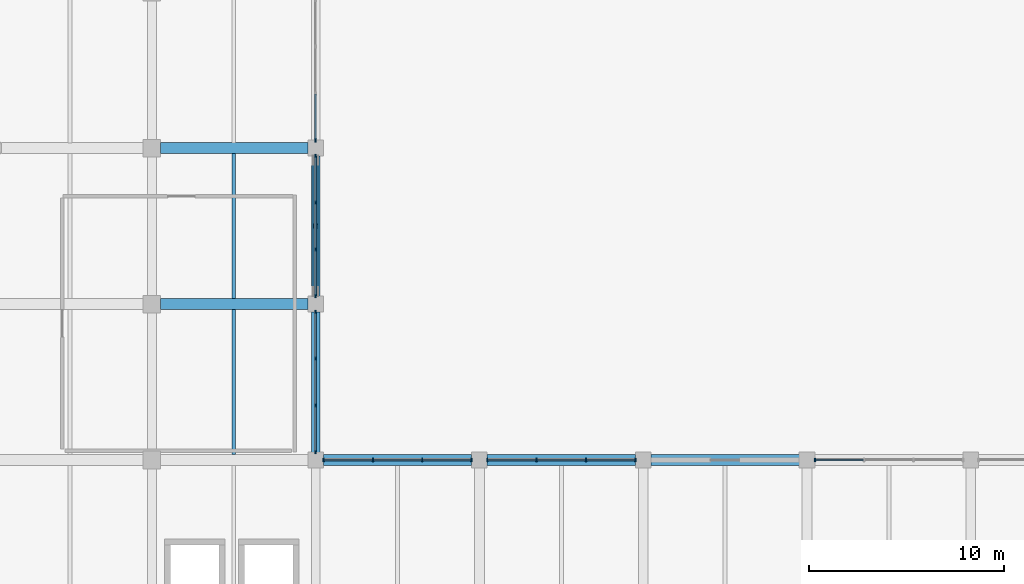
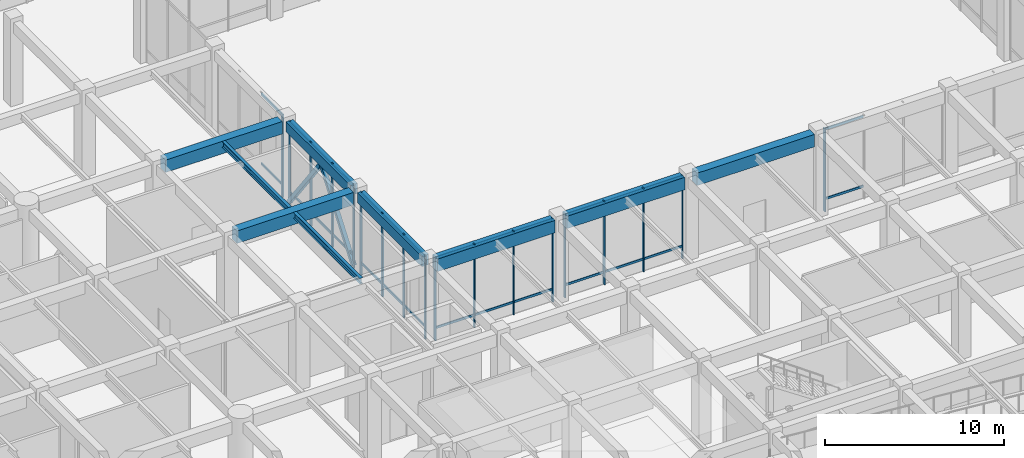
# One storey, part 24 of 76: 48 members, 9 beams, 6 elements without a shape of their own.
"""IFC4 building model written with IfcOpenShell, lengths in metres."""

import ifcopenshell
import ifcopenshell.guid

model = None  # the IFC model being written
_history = None  # IfcOwnerHistory: only IFC2X3 demands one
_inside = {}  # id of a spatial element -> (the spatial element, [elements in it])
_under = {}  # id of a project, library or spatial element -> (it, [spatial elements below it])
_declared = {}  # id of a project -> (the project, [libraries it declares])
_typed = {}  # id of a type object -> (the type object, [elements of that type])
_made_of = {}  # id of a material, layer set ... -> (it, [elements and type objects made of it])


def new_model(schema):
    """Start an empty IFC model of exactly this schema.

    Asked for "IFC4X3", IfcOpenShell would pick the latest addendum, in which some entities
    have other attributes; the version numbers below select the first issue.
    IFC2X3 requires an IfcOwnerHistory on every rooted entity: one is made here for all.
    """
    global model, _history
    if schema == "IFC4X3":
        model = ifcopenshell.file(schema_version=(4, 3, 0, 0))
    else:
        model = ifcopenshell.file(schema=schema)
    _inside.clear()
    _under.clear()
    _declared.clear()
    _typed.clear()
    _made_of.clear()
    _history = None
    if model.schema == "IFC2X3":
        org = make("IfcOrganization", Name="unknown")
        user = make(
            "IfcPersonAndOrganization",
            ThePerson=make("IfcPerson", FamilyName="unknown"),
            TheOrganization=org,
        )
        app = make(
            "IfcApplication",
            ApplicationDeveloper=org,
            Version="unknown",
            ApplicationFullName="unknown",
            ApplicationIdentifier="unknown",
        )
        _history = make(
            "IfcOwnerHistory",
            OwningUser=user,
            OwningApplication=app,
            ChangeAction="ADDED",
            CreationDate=0,
        )
    return model


def make(cls, **values):
    """One entity of the class cls with the attributes given. An attribute that is None is left unset."""
    return model.create_entity(
        cls, **{name: value for name, value in values.items() if value is not None}
    )


def rooted(cls, **values):
    """An entity with a GlobalId (a new one), such as an element, a storey or a relation."""
    return make(cls, GlobalId=ifcopenshell.guid.new(), OwnerHistory=_history, **values)


def si_unit(unit_type, name, prefix=None):
    """IfcSIUnit, for example si_unit("LENGTHUNIT", "METRE", prefix="MILLI")."""
    return make("IfcSIUnit", UnitType=unit_type, Prefix=prefix, Name=name)


def assignment(units):
    """IfcUnitAssignment: the units of a project."""
    return None if units is None else make("IfcUnitAssignment", Units=units)


def point(xyz):
    """IfcCartesianPoint."""
    return None if xyz is None else make("IfcCartesianPoint", Coordinates=xyz)


def direction(xyz):
    """IfcDirection."""
    return None if xyz is None else make("IfcDirection", DirectionRatios=xyz)


def frame(location, z_axis=None, x_axis=None):
    """IfcAxis2Placement3D, a coordinate frame: its origin and axes. An axis left out is left unset."""
    return make(
        "IfcAxis2Placement3D",
        Location=point(location),
        Axis=direction(z_axis),
        RefDirection=direction(x_axis),
    )


def frame_2d(location, x_axis=None):
    """IfcAxis2Placement2D, a coordinate frame in the plane: its origin and x axis."""
    return make(
        "IfcAxis2Placement2D", Location=point(location), RefDirection=direction(x_axis)
    )


def origin():
    """The frame at (0, 0, 0) with its axes left unset."""
    return frame((0.0, 0.0, 0.0))


def origin_2d():
    """The frame at (0, 0) in the plane with its x axis left unset."""
    return frame_2d((0.0, 0.0))


def place(relative_to, where):
    """IfcLocalPlacement: puts the frame where relative to a parent placement (None: the world)."""
    return make(
        "IfcLocalPlacement", PlacementRelTo=relative_to, RelativePlacement=where
    )


def context(
    kind, dimensions, precision=None, world=None, true_north=None, identifier=None
):
    """IfcGeometricRepresentationContext, for example the 3D "Model" context."""
    return make(
        "IfcGeometricRepresentationContext",
        ContextIdentifier=identifier,
        ContextType=kind,
        CoordinateSpaceDimension=dimensions,
        Precision=precision,
        WorldCoordinateSystem=world,
        TrueNorth=true_north,
    )


def subcontext(parent, identifier, kind, view, scale=None):
    """IfcGeometricRepresentationSubContext, for example "Body" below "Model"."""
    return make(
        "IfcGeometricRepresentationSubContext",
        ContextIdentifier=identifier,
        ContextType=kind,
        ParentContext=parent,
        TargetScale=scale,
        TargetView=view,
    )


def project(units=None, contexts=None):
    """IfcProject with its units and contexts."""
    return rooted(
        "IfcProject",
        Name="project",
        RepresentationContexts=contexts,
        UnitsInContext=assignment(units),
    )


def spatial(cls, under=None, at=None, **own):
    """A site, building, storey or space (cls), placed at a placement, below another one or the project."""
    s = rooted(cls, ObjectPlacement=at, **own)
    if under is not None:
        _under.setdefault(under.id(), (under, []))[1].append(s)
    return s


def profile(cls, at=None, kind="AREA", **sizes):
    """A parametric profile (cls). Its sizes go by their IFC names, for example OverallWidth=200.0."""
    return make(cls, ProfileType=kind, Position=at, **sizes)


def rectangle(**sizes):
    """IfcRectangleProfileDef."""
    return profile("IfcRectangleProfileDef", **sizes)


def hollow_rectangle(**sizes):
    """IfcRectangleHollowProfileDef."""
    return profile("IfcRectangleHollowProfileDef", **sizes)


def i_section(**sizes):
    """IfcIShapeProfileDef."""
    return profile("IfcIShapeProfileDef", **sizes)


def extrude(swept, where, along, depth):
    """IfcExtrudedAreaSolid: the profile swept, set in the frame where, extruded along a direction by depth."""
    return make(
        "IfcExtrudedAreaSolid",
        SweptArea=swept,
        Position=where,
        ExtrudedDirection=direction(along),
        Depth=depth,
    )


def shape(context_of_items, identifier, shape_type, items):
    """IfcShapeRepresentation: the items that make up one representation, for example the "Body"."""
    return make(
        "IfcShapeRepresentation",
        ContextOfItems=context_of_items,
        RepresentationIdentifier=identifier,
        RepresentationType=shape_type,
        Items=items,
    )


def material(Name=None, Category=None):
    """IfcMaterial."""
    return make("IfcMaterial", Name=Name, Category=Category)


def layer(
    of_material, thickness, ventilated=None, Name=None, Category=None, Priority=None
):
    """IfcMaterialLayer: one layer of a wall or slab, of a material (None: an air gap)."""
    return make(
        "IfcMaterialLayer",
        Material=of_material,
        LayerThickness=thickness,
        IsVentilated=ventilated,
        Name=Name,
        Category=Category,
        Priority=Priority,
    )


def layer_set(layers, Name=None):
    """IfcMaterialLayerSet."""
    return make("IfcMaterialLayerSet", MaterialLayers=layers, LayerSetName=Name)


def material_profile(
    of_material, cross_section, Name=None, Category=None, Priority=None
):
    """IfcMaterialProfile: a cross section and its material."""
    return make(
        "IfcMaterialProfile",
        Name=Name,
        Material=of_material,
        Profile=cross_section,
        Priority=Priority,
        Category=Category,
    )


def profile_set(profiles, Name=None, composite=None):
    """IfcMaterialProfileSet."""
    return make(
        "IfcMaterialProfileSet",
        Name=Name,
        MaterialProfiles=profiles,
        CompositeProfile=composite,
    )


def made_of(thing, what):
    """Note that an element or type object is made of a material, layer set ...; save() writes the relation."""
    if what is not None:
        _made_of.setdefault(what.id(), (what, []))[1].append(thing)
    return thing


def type_object(cls, material=None, **own):
    """A type object (cls), such as IfcWallType, which elements share."""
    return made_of(rooted(cls, **own), material)


def element(
    cls,
    number,
    at=None,
    inside=None,
    cuts=None,
    type_object=None,
    material=None,
    context=None,
    identifier="Body",
    shape_type=None,
    held_by="IfcProductDefinitionShape",
    body=None,
    shapes=None,
    **own,
):
    """One element of the class cls, such as IfcWall. Its Tag is "e" and its number.

    at: its placement. inside: the storey or other place that contains it. cuts: it is an
    opening in that element (IfcRelVoidsElement). A single representation is given by context,
    identifier, shape_type and body (its items); several are given by shapes. held_by: the class
    of the entity that holds the representations. save() writes the other relations.
    """
    e = rooted(cls, Tag="e%d" % number, ObjectPlacement=at, **own)
    if body is not None:
        shapes = [shape(context, identifier, shape_type, body)]
    if shapes is not None:
        e.Representation = make(held_by, Representations=shapes)
    if inside is not None:
        _inside.setdefault(inside.id(), (inside, []))[1].append(e)
    if cuts is not None:
        rooted(
            "IfcRelVoidsElement", RelatingBuildingElement=cuts, RelatedOpeningElement=e
        )
    if type_object is not None:
        _typed.setdefault(type_object.id(), (type_object, []))[1].append(e)
    return made_of(e, material)


def aggregate(whole, parts):
    """IfcRelAggregates: a whole, such as a stair, and the parts it consists of."""
    return rooted("IfcRelAggregates", RelatingObject=whole, RelatedObjects=parts)


def save(model, path):
    """Write the relations noted so far, then the file.

    IfcRelAggregates (storeys below a building ...), IfcRelContainedInSpatialStructure (elements
    in a storey), IfcRelDefinesByType, IfcRelAssociatesMaterial and IfcRelDeclares: one each for
    every whole, place, type object, material and project.
    """
    for whole, parts in _under.values():
        aggregate(whole, parts)
    for where, things in _inside.values():
        rooted(
            "IfcRelContainedInSpatialStructure",
            RelatedElements=things,
            RelatingStructure=where,
        )
    for kind, things in _typed.values():
        rooted("IfcRelDefinesByType", RelatedObjects=things, RelatingType=kind)
    for what, things in _made_of.values():
        rooted("IfcRelAssociatesMaterial", RelatedObjects=things, RelatingMaterial=what)
    for by, libraries in _declared.values():
        rooted("IfcRelDeclares", RelatingContext=by, RelatedDefinitions=libraries)
    model.write(path)


model = new_model("IFC4")

# Units and contexts
model_context = context("Model", 3, precision=1e-05, world=origin(), true_north=direction((0.0, 1.0)))
body_context = subcontext(model_context, "Body", "Model", "MODEL_VIEW")
ifc_project = project(units=[si_unit("LENGTHUNIT", "METRE"), si_unit("AREAUNIT", "SQUARE_METRE"), si_unit("VOLUMEUNIT", "CUBIC_METRE"), si_unit("PLANEANGLEUNIT", "RADIAN"), si_unit("MASSUNIT", "GRAM", prefix="KILO")], contexts=[model_context])

# Site, building, storey
site_placement = place(None, origin())
site = spatial("IfcSite", under=ifc_project, at=site_placement, CompositionType="ELEMENT")
building_placement = place(site_placement, origin())
building = spatial("IfcBuilding", under=site, at=building_placement, Name="Naruveol Harbour Congress Hotel", CompositionType="ELEMENT")
storey_placement = place(building_placement, origin())
storey = spatial("IfcBuildingStorey", under=building, at=storey_placement, Name="L00", CompositionType="ELEMENT", Elevation=0.0)

# Beams
ifc_material_1 = material(Name="Concrete C40/50", Category="concrete")
ifc_material_profile_1 = material_profile(ifc_material_1, rectangle(XDim=0.550048828125, YDim=0.85009765625, at=origin_2d()), Name="RCB-550x850")
ifc_profile_set_1 = profile_set([ifc_material_profile_1], Name="Concrete C40/50")
beam_type_1 = type_object("IfcBeamType", Name="RC PRIMARY GIRDER 550X850", PredefinedType="BEAM", material=ifc_profile_set_1)
beam_placement = place(storey_placement, frame((67.595947265625, 32.0, 5.27490234375), z_axis=(1.0, 0.0, 0.0), x_axis=(0.0, 1.0, 0.0)))
element("IfcBeam", 1, at=beam_placement, inside=storey, type_object=beam_type_1, Name="Floor girder L01 CB2", PredefinedType="BEAM", context=body_context, shape_type="SweptSolid", body=[
    extrude(rectangle(XDim=0.550048828125, YDim=0.85009765625, at=origin_2d()), origin(), (0.0, 0.0, 1.0), 7.608154296875),
])
for number, where, z_axis, x_axis, name in (
    (2, (75.99609375, 32.0, 5.27490234375), (1.0, 0.0, 0.0), (0.0, 1.0, 0.0), "Floor girder L01 CB2"),
    (3, (84.39599609375, 32.0, 5.27490234375), (1.0, 0.0, 0.0), (0.0, 1.0, 0.0), "Floor girder L01 CB2"),
):
    element("IfcBeam", number, at=place(storey_placement, frame(where, z_axis=z_axis, x_axis=x_axis)), inside=storey, type_object=beam_type_1, Name=name, PredefinedType="BEAM", context=body_context, shape_type="SweptSolid", body=[
        extrude(rectangle(XDim=0.550048828125, YDim=0.85009765625, at=origin_2d()), origin(), (0.0, 0.0, 1.0), 7.60791015625),
    ])
for number, where, z_axis, x_axis, name in (
    (4, (59.24609375, 40.0, 5.27490234375), (1.0, 0.0, 0.0), (0.0, 1.0, 0.0), "Floor girder L01 CB2"),
    (5, (59.24609375, 48.0, 5.27490234375), (1.0, 0.0, 0.0), (0.0, 1.0, 0.0), "Floor girder L01 CB2"),
):
    element("IfcBeam", number, at=place(storey_placement, frame(where, z_axis=z_axis, x_axis=x_axis)), inside=storey, type_object=beam_type_1, Name=name, PredefinedType="BEAM", context=body_context, shape_type="SweptSolid", body=[
        extrude(rectangle(XDim=0.550048828125, YDim=0.85009765625, at=origin_2d()), origin(), (0.0, 0.0, 1.0), 7.557861328125),
    ])
ifc_material_2 = material(Name="Concrete C40/50", Category="concrete")
ifc_material_profile_2 = material_profile(ifc_material_2, rectangle(XDim=0.449951171875, YDim=0.699951171875, at=origin_2d()), Name="RCB-450x700")
ifc_profile_set_2 = profile_set([ifc_material_profile_2], Name="Concrete C40/50")
beam_type_2 = type_object("IfcBeamType", Name="RC SPANDREL BEAM 450X700", PredefinedType="SPANDREL", material=ifc_profile_set_2)
for number, where, z_axis, x_axis, name in (
    (6, (67.199951171875, 32.39599609375, 5.35009765625), (0.0, 1.0, 0.0), (-1.0, 0.0, 0.0), "Transverse girder L01 SPB1"),
    (7, (67.199951171875, 40.39599609375, 5.35009765625), (0.0, 1.0, 0.0), (-1.0, 0.0, 0.0), "Transverse girder L01 SPB1"),
):
    element("IfcBeam", number, at=place(storey_placement, frame(where, z_axis=z_axis, x_axis=x_axis)), inside=storey, type_object=beam_type_2, Name=name, PredefinedType="SPANDREL", context=body_context, shape_type="SweptSolid", body=[
        extrude(rectangle(XDim=0.449951171875, YDim=0.699951171875, at=origin_2d()), origin(), (0.0, 0.0, 1.0), 7.2080078125),
    ])

# Members
ifc_material_3 = material(Name="Steel SN490", Category="steel")
ifc_material_profile_3 = material_profile(ifc_material_3, hollow_rectangle(XDim=0.25, YDim=0.25, WallThickness=0.011962890625, at=origin_2d()), Name="SHS-250x250x12")
ifc_profile_set_3 = profile_set([ifc_material_profile_3], Name="Steel SN490")
member_type_1 = type_object("IfcMemberType", Name="STEEL LATERAL FRAME BRACE SHS250", PredefinedType="BRACE", material=ifc_profile_set_3)
for number, where, z_axis, x_axis, name in (
    (8, (67.199951171875, 40.389892578125, 0.159912109375), (0.0, 0.601873941138, 0.798591108753), (-1.0, 0.0, 0.0), "Lateral chevron brace L00 #10A"),
    (9, (67.199951171875, 47.610107421875, 0.159912109375), (0.0, -0.601873941138, 0.798591108753), (1.0, 0.0, 0.0), "Lateral chevron brace L00 #10B"),
):
    element("IfcMember", number, at=place(storey_placement, frame(where, z_axis=z_axis, x_axis=x_axis)), inside=storey, type_object=member_type_1, Name=name, PredefinedType="BRACE", context=body_context, shape_type="SweptSolid", body=[
        extrude(hollow_rectangle(XDim=0.25, YDim=0.25, WallThickness=0.011962890625, at=origin_2d()), origin(), (0.0, 0.0, 1.0), 5.998046875),
    ])

# Beams
ifc_material_4 = material(Name="Steel SN490", Category="steel")
ifc_material_profile_4 = material_profile(ifc_material_4, i_section(OverallWidth=0.199951171875, OverallDepth=0.39990234375, WebThickness=0.008056640625, FlangeThickness=0.012939453125, at=origin_2d()), Name="H-400x200x8x13")
ifc_profile_set_4 = profile_set([ifc_material_profile_4], Name="Steel SN490")
beam_type_3 = type_object("IfcBeamType", Name="STEEL SECONDARY JOIST H400", PredefinedType="JOIST", material=ifc_profile_set_4)
for number, where, z_axis, x_axis, name in (
    (10, (63.0, 32.27099609375, 5.5), (0.0, 1.0, 0.0), (-1.0, 0.0, 0.0), "Secondary floor joist L01 SJ1"),
    (11, (63.0, 40.27099609375, 5.5), (0.0, 1.0, 0.0), (-1.0, 0.0, 0.0), "Secondary floor joist L01 SJ1"),
):
    element("IfcBeam", number, at=place(storey_placement, frame(where, z_axis=z_axis, x_axis=x_axis)), inside=storey, type_object=beam_type_3, Name=name, PredefinedType="JOIST", context=body_context, shape_type="SweptSolid", body=[
        extrude(i_section(OverallWidth=0.199951171875, OverallDepth=0.39990234375, WebThickness=0.008056640625, FlangeThickness=0.012939453125, at=origin_2d()), origin(), (0.0, 0.0, 1.0), 7.4580078125),
    ])

# Curtain wall, members
ifc_material_5 = material(Name="Low-E Curtain Wall System", Category="glass")
ifc_layer_1 = layer(ifc_material_5, 0.179931640625)
ifc_layer_set_1 = layer_set([ifc_layer_1], Name="Low-E Curtain Wall System")
curtain_wall_type_1 = type_object("IfcCurtainWallType", Name="UNITISED CURTAIN WALL CW-CTS-27 7600X5700", PredefinedType="USERDEFINED", material=ifc_layer_set_1)
curtain_wall_1_placement = place(storey_placement, origin())
curtain_wall_1 = element("IfcCurtainWall", 12, at=curtain_wall_1_placement, inside=storey, type_object=curtain_wall_type_1, Name="Unitised curtain wall CW-CTS-27 L00", ObjectType="UNITISED GLAZING", PredefinedType="USERDEFINED")
ifc_material_6 = material(Name="Anodised Aluminium 6063-T6", Category="aluminium")
ifc_material_profile_5 = material_profile(ifc_material_6, rectangle(XDim=0.074951171875, YDim=0.179931640625, at=origin_2d()), Name="ALU-75x180")
ifc_profile_set_5 = profile_set([ifc_material_profile_5], Name="Anodised Aluminium 6063-T6")
member_type_2 = type_object("IfcMemberType", Name="THERMAL ALUMINIUM MULLION 75X180", PredefinedType="MULLION", material=ifc_profile_set_5)
member_1_placement = place(storey_placement, frame((67.60009765625, 32.0, 0.0), z_axis=(0.0, 0.0, 1.0), x_axis=(1.0, 0.0, 0.0)))
member_1 = element("IfcMember", 13, at=member_1_placement, type_object=member_type_2, Name="Curtain wall mullion CW-L00-0055-M0", PredefinedType="MULLION", context=body_context, shape_type="SweptSolid", body=[
    extrude(rectangle(XDim=0.074951171875, YDim=0.179931640625, at=origin_2d()), origin(), (0.0, 0.0, 1.0), 5.699951171875),
])
member_2_placement = place(storey_placement, frame((70.13330078125, 32.0, 0.0), z_axis=(0.0, 0.0, 1.0), x_axis=(1.0, 0.0, 0.0)))
member_2 = element("IfcMember", 14, at=member_2_placement, type_object=member_type_2, Name="Curtain wall mullion CW-L00-0055-M1", PredefinedType="MULLION", context=body_context, shape_type="SweptSolid", body=[
    extrude(rectangle(XDim=0.074951171875, YDim=0.179931640625, at=origin_2d()), origin(), (0.0, 0.0, 1.0), 5.699951171875),
])
member_3_placement = place(storey_placement, frame((72.666748046875, 32.0, 0.0), z_axis=(0.0, 0.0, 1.0), x_axis=(1.0, 0.0, 0.0)))
member_3 = element("IfcMember", 15, at=member_3_placement, type_object=member_type_2, Name="Curtain wall mullion CW-L00-0055-M2", PredefinedType="MULLION", context=body_context, shape_type="SweptSolid", body=[
    extrude(rectangle(XDim=0.074951171875, YDim=0.179931640625, at=origin_2d()), origin(), (0.0, 0.0, 1.0), 5.699951171875),
])
member_4_placement = place(storey_placement, frame((75.199951171875, 32.0, 0.0), z_axis=(0.0, 0.0, 1.0), x_axis=(1.0, 0.0, 0.0)))
member_4 = element("IfcMember", 16, at=member_4_placement, type_object=member_type_2, Name="Curtain wall mullion CW-L00-0055-M3", PredefinedType="MULLION", context=body_context, shape_type="SweptSolid", body=[
    extrude(rectangle(XDim=0.074951171875, YDim=0.179931640625, at=origin_2d()), origin(), (0.0, 0.0, 1.0), 5.699951171875),
])

curtain_wall_2_placement = place(storey_placement, origin())
curtain_wall_2 = element("IfcCurtainWall", 17, at=curtain_wall_2_placement, inside=storey, type_object=curtain_wall_type_1, Name="Unitised curtain wall CW-CTS-27 L00", ObjectType="UNITISED GLAZING", PredefinedType="USERDEFINED")
member_5_placement = place(storey_placement, frame((76.0, 32.0, 0.0), z_axis=(0.0, 0.0, 1.0), x_axis=(1.0, 0.0, 0.0)))
member_5 = element("IfcMember", 18, at=member_5_placement, type_object=member_type_2, Name="Curtain wall mullion CW-L00-0057-M0", PredefinedType="MULLION", context=body_context, shape_type="SweptSolid", body=[
    extrude(rectangle(XDim=0.074951171875, YDim=0.179931640625, at=origin_2d()), origin(), (0.0, 0.0, 1.0), 5.699951171875),
])
member_6_placement = place(storey_placement, frame((78.533203125, 32.0, 0.0), z_axis=(0.0, 0.0, 1.0), x_axis=(1.0, 0.0, 0.0)))
member_6 = element("IfcMember", 19, at=member_6_placement, type_object=member_type_2, Name="Curtain wall mullion CW-L00-0057-M1", PredefinedType="MULLION", context=body_context, shape_type="SweptSolid", body=[
    extrude(rectangle(XDim=0.074951171875, YDim=0.179931640625, at=origin_2d()), origin(), (0.0, 0.0, 1.0), 5.699951171875),
])
member_7_placement = place(storey_placement, frame((81.066650390625, 32.0, 0.0), z_axis=(0.0, 0.0, 1.0), x_axis=(1.0, 0.0, 0.0)))
member_7 = element("IfcMember", 20, at=member_7_placement, type_object=member_type_2, Name="Curtain wall mullion CW-L00-0057-M2", PredefinedType="MULLION", context=body_context, shape_type="SweptSolid", body=[
    extrude(rectangle(XDim=0.074951171875, YDim=0.179931640625, at=origin_2d()), origin(), (0.0, 0.0, 1.0), 5.699951171875),
])
member_8_placement = place(storey_placement, frame((83.60009765625, 32.0, 0.0), z_axis=(0.0, 0.0, 1.0), x_axis=(1.0, 0.0, 0.0)))
member_8 = element("IfcMember", 21, at=member_8_placement, type_object=member_type_2, Name="Curtain wall mullion CW-L00-0057-M3", PredefinedType="MULLION", context=body_context, shape_type="SweptSolid", body=[
    extrude(rectangle(XDim=0.074951171875, YDim=0.179931640625, at=origin_2d()), origin(), (0.0, 0.0, 1.0), 5.699951171875),
])

# Curtain wall, member
curtain_wall_3_placement = place(storey_placement, origin())
curtain_wall_3 = element("IfcCurtainWall", 22, at=curtain_wall_3_placement, inside=storey, type_object=curtain_wall_type_1, Name="Unitised curtain wall CW-CTS-27 L00", ObjectType="UNITISED GLAZING", PredefinedType="USERDEFINED")
member_9_placement = place(storey_placement, frame((92.800048828125, 32.0, 0.0), z_axis=(0.0, 0.0, 1.0), x_axis=(1.0, 0.0, 0.0)))
member_9 = element("IfcMember", 23, at=member_9_placement, type_object=member_type_2, Name="Curtain wall mullion CW-L00-0060-M0", PredefinedType="MULLION", context=body_context, shape_type="SweptSolid", body=[
    extrude(rectangle(XDim=0.074951171875, YDim=0.179931640625, at=origin_2d()), origin(), (0.0, 0.0, 1.0), 5.699951171875),
])

# Curtain wall, members
ifc_material_7 = material(Name="Low-E Curtain Wall System", Category="glass")
ifc_layer_2 = layer(ifc_material_7, 0.179931640625)
ifc_layer_set_2 = layer_set([ifc_layer_2], Name="Low-E Curtain Wall System")
curtain_wall_type_2 = type_object("IfcCurtainWallType", Name="UNITISED CURTAIN WALL CW-CTW-28 7200X5700", PredefinedType="USERDEFINED", material=ifc_layer_set_2)
curtain_wall_4_placement = place(storey_placement, origin())
curtain_wall_4 = element("IfcCurtainWall", 24, at=curtain_wall_4_placement, inside=storey, type_object=curtain_wall_type_2, Name="Unitised curtain wall CW-CTW-28 L00", ObjectType="UNITISED GLAZING", PredefinedType="USERDEFINED")
member_10_placement = place(storey_placement, frame((67.199951171875, 32.39990234375, 0.0), z_axis=(0.0, 0.0, 1.0), x_axis=(1.0, 0.0, 0.0)))
member_10 = element("IfcMember", 25, at=member_10_placement, type_object=member_type_2, Name="Curtain wall mullion CW-L00-0063-M0", PredefinedType="MULLION", context=body_context, shape_type="SweptSolid", body=[
    extrude(rectangle(XDim=0.074951171875, YDim=0.179931640625, at=origin_2d()), origin(), (0.0, 0.0, 1.0), 5.699951171875),
])
member_11_placement = place(storey_placement, frame((67.199951171875, 34.800048828125, 0.0), z_axis=(0.0, 0.0, 1.0), x_axis=(1.0, 0.0, 0.0)))
member_11 = element("IfcMember", 26, at=member_11_placement, type_object=member_type_2, Name="Curtain wall mullion CW-L00-0063-M1", PredefinedType="MULLION", context=body_context, shape_type="SweptSolid", body=[
    extrude(rectangle(XDim=0.074951171875, YDim=0.179931640625, at=origin_2d()), origin(), (0.0, 0.0, 1.0), 5.699951171875),
])
member_12_placement = place(storey_placement, frame((67.199951171875, 37.199951171875, 0.0), z_axis=(0.0, 0.0, 1.0), x_axis=(1.0, 0.0, 0.0)))
member_12 = element("IfcMember", 27, at=member_12_placement, type_object=member_type_2, Name="Curtain wall mullion CW-L00-0063-M2", PredefinedType="MULLION", context=body_context, shape_type="SweptSolid", body=[
    extrude(rectangle(XDim=0.074951171875, YDim=0.179931640625, at=origin_2d()), origin(), (0.0, 0.0, 1.0), 5.699951171875),
])
member_13_placement = place(storey_placement, frame((67.199951171875, 39.60009765625, 0.0), z_axis=(0.0, 0.0, 1.0), x_axis=(1.0, 0.0, 0.0)))
member_13 = element("IfcMember", 28, at=member_13_placement, type_object=member_type_2, Name="Curtain wall mullion CW-L00-0063-M3", PredefinedType="MULLION", context=body_context, shape_type="SweptSolid", body=[
    extrude(rectangle(XDim=0.074951171875, YDim=0.179931640625, at=origin_2d()), origin(), (0.0, 0.0, 1.0), 5.699951171875),
])

curtain_wall_5_placement = place(storey_placement, origin())
curtain_wall_5 = element("IfcCurtainWall", 29, at=curtain_wall_5_placement, inside=storey, type_object=curtain_wall_type_2, Name="Unitised curtain wall CW-CTW-28 L00", ObjectType="UNITISED GLAZING", PredefinedType="USERDEFINED")
member_14_placement = place(storey_placement, frame((67.199951171875, 40.39990234375, 0.0), z_axis=(0.0, 0.0, 1.0), x_axis=(1.0, 0.0, 0.0)))
member_14 = element("IfcMember", 30, at=member_14_placement, type_object=member_type_2, Name="Curtain wall mullion CW-L00-0065-M0", PredefinedType="MULLION", context=body_context, shape_type="SweptSolid", body=[
    extrude(rectangle(XDim=0.074951171875, YDim=0.179931640625, at=origin_2d()), origin(), (0.0, 0.0, 1.0), 5.699951171875),
])
member_15_placement = place(storey_placement, frame((67.199951171875, 42.800048828125, 0.0), z_axis=(0.0, 0.0, 1.0), x_axis=(1.0, 0.0, 0.0)))
member_15 = element("IfcMember", 31, at=member_15_placement, type_object=member_type_2, Name="Curtain wall mullion CW-L00-0065-M1", PredefinedType="MULLION", context=body_context, shape_type="SweptSolid", body=[
    extrude(rectangle(XDim=0.074951171875, YDim=0.179931640625, at=origin_2d()), origin(), (0.0, 0.0, 1.0), 5.699951171875),
])
member_16_placement = place(storey_placement, frame((67.199951171875, 45.199951171875, 0.0), z_axis=(0.0, 0.0, 1.0), x_axis=(1.0, 0.0, 0.0)))
member_16 = element("IfcMember", 32, at=member_16_placement, type_object=member_type_2, Name="Curtain wall mullion CW-L00-0065-M2", PredefinedType="MULLION", context=body_context, shape_type="SweptSolid", body=[
    extrude(rectangle(XDim=0.074951171875, YDim=0.179931640625, at=origin_2d()), origin(), (0.0, 0.0, 1.0), 5.699951171875),
])
member_17_placement = place(storey_placement, frame((67.199951171875, 47.60009765625, 0.0), z_axis=(0.0, 0.0, 1.0), x_axis=(1.0, 0.0, 0.0)))
member_17 = element("IfcMember", 33, at=member_17_placement, type_object=member_type_2, Name="Curtain wall mullion CW-L00-0065-M3", PredefinedType="MULLION", context=body_context, shape_type="SweptSolid", body=[
    extrude(rectangle(XDim=0.074951171875, YDim=0.179931640625, at=origin_2d()), origin(), (0.0, 0.0, 1.0), 5.699951171875),
])

# Curtain wall, member
curtain_wall_6_placement = place(storey_placement, origin())
curtain_wall_6 = element("IfcCurtainWall", 34, at=curtain_wall_6_placement, inside=storey, type_object=curtain_wall_type_2, Name="Unitised curtain wall CW-CTW-28 L00", ObjectType="UNITISED GLAZING", PredefinedType="USERDEFINED")
member_18_placement = place(storey_placement, frame((67.199951171875, 48.39990234375, 0.0), z_axis=(0.0, 0.0, 1.0), x_axis=(1.0, 0.0, 0.0)))
member_18 = element("IfcMember", 35, at=member_18_placement, type_object=member_type_2, Name="Curtain wall mullion CW-L00-0067-M0", PredefinedType="MULLION", context=body_context, shape_type="SweptSolid", body=[
    extrude(rectangle(XDim=0.074951171875, YDim=0.179931640625, at=origin_2d()), origin(), (0.0, 0.0, 1.0), 5.699951171875),
])

# Member
ifc_material_8 = material(Name="Anodised Aluminium 6063-T6", Category="aluminium")
ifc_material_profile_6 = material_profile(ifc_material_8, rectangle(XDim=0.074951171875, YDim=0.14990234375, at=origin_2d()), Name="ALU-75x150")
ifc_profile_set_6 = profile_set([ifc_material_profile_6], Name="Anodised Aluminium 6063-T6")
member_type_3 = type_object("IfcMemberType", Name="THERMAL ALUMINIUM TRANSOM 75X150", PredefinedType="USERDEFINED", material=ifc_profile_set_6)
member_19_placement = place(storey_placement, frame((67.639892578125, 32.0, 0.85009765625), z_axis=(1.0, 0.0, 0.0), x_axis=(0.0, 1.0, 0.0)))
member_19 = element("IfcMember", 36, at=member_19_placement, type_object=member_type_3, Name="Curtain wall transom CW-L00-0055-T0.1", ObjectType="TRANSOM", PredefinedType="USERDEFINED", context=body_context, shape_type="SweptSolid", body=[
    extrude(rectangle(XDim=0.074951171875, YDim=0.14990234375, at=origin_2d()), origin(), (0.0, 0.0, 1.0), 2.453369140625),
])

member_20_placement = place(storey_placement, frame((67.639892578125, 32.0, 5.6201171875), z_axis=(1.0, 0.0, 0.0), x_axis=(0.0, 1.0, 0.0)))
member_20 = element("IfcMember", 37, at=member_20_placement, type_object=member_type_3, Name="Curtain wall transom CW-L00-0055-T0.2", ObjectType="TRANSOM", PredefinedType="USERDEFINED", context=body_context, shape_type="SweptSolid", body=[
    extrude(rectangle(XDim=0.074951171875, YDim=0.14990234375, at=origin_2d()), origin(), (0.0, 0.0, 1.0), 2.453369140625),
])

member_21_placement = place(storey_placement, frame((70.17333984375, 32.0, 0.85009765625), z_axis=(1.0, 0.0, 0.0), x_axis=(0.0, 1.0, 0.0)))
member_21 = element("IfcMember", 38, at=member_21_placement, type_object=member_type_3, Name="Curtain wall transom CW-L00-0055-T1.1", ObjectType="TRANSOM", PredefinedType="USERDEFINED", context=body_context, shape_type="SweptSolid", body=[
    extrude(rectangle(XDim=0.074951171875, YDim=0.14990234375, at=origin_2d()), origin(), (0.0, 0.0, 1.0), 2.453369140625),
])

member_22_placement = place(storey_placement, frame((70.17333984375, 32.0, 5.6201171875), z_axis=(1.0, 0.0, 0.0), x_axis=(0.0, 1.0, 0.0)))
member_22 = element("IfcMember", 39, at=member_22_placement, type_object=member_type_3, Name="Curtain wall transom CW-L00-0055-T1.2", ObjectType="TRANSOM", PredefinedType="USERDEFINED", context=body_context, shape_type="SweptSolid", body=[
    extrude(rectangle(XDim=0.074951171875, YDim=0.14990234375, at=origin_2d()), origin(), (0.0, 0.0, 1.0), 2.453369140625),
])

member_23_placement = place(storey_placement, frame((72.706787109375, 32.0, 0.85009765625), z_axis=(1.0, 0.0, 0.0), x_axis=(0.0, 1.0, 0.0)))
member_23 = element("IfcMember", 40, at=member_23_placement, type_object=member_type_3, Name="Curtain wall transom CW-L00-0055-T2.1", ObjectType="TRANSOM", PredefinedType="USERDEFINED", context=body_context, shape_type="SweptSolid", body=[
    extrude(rectangle(XDim=0.074951171875, YDim=0.14990234375, at=origin_2d()), origin(), (0.0, 0.0, 1.0), 2.453125),
])

member_24_placement = place(storey_placement, frame((72.706787109375, 32.0, 5.6201171875), z_axis=(1.0, 0.0, 0.0), x_axis=(0.0, 1.0, 0.0)))
member_24 = element("IfcMember", 41, at=member_24_placement, type_object=member_type_3, Name="Curtain wall transom CW-L00-0055-T2.2", ObjectType="TRANSOM", PredefinedType="USERDEFINED", context=body_context, shape_type="SweptSolid", body=[
    extrude(rectangle(XDim=0.074951171875, YDim=0.14990234375, at=origin_2d()), origin(), (0.0, 0.0, 1.0), 2.453125),
])

aggregate(curtain_wall_1, [member_1, member_2, member_3, member_4, member_19, member_20, member_21, member_22, member_23, member_24])

member_25_placement = place(storey_placement, frame((76.0400390625, 32.0, 0.85009765625), z_axis=(1.0, 0.0, 0.0), x_axis=(0.0, 1.0, 0.0)))
member_25 = element("IfcMember", 42, at=member_25_placement, type_object=member_type_3, Name="Curtain wall transom CW-L00-0057-T0.1", ObjectType="TRANSOM", PredefinedType="USERDEFINED", context=body_context, shape_type="SweptSolid", body=[
    extrude(rectangle(XDim=0.074951171875, YDim=0.14990234375, at=origin_2d()), origin(), (0.0, 0.0, 1.0), 2.453369140625),
])

member_26_placement = place(storey_placement, frame((76.0400390625, 32.0, 5.6201171875), z_axis=(1.0, 0.0, 0.0), x_axis=(0.0, 1.0, 0.0)))
member_26 = element("IfcMember", 43, at=member_26_placement, type_object=member_type_3, Name="Curtain wall transom CW-L00-0057-T0.2", ObjectType="TRANSOM", PredefinedType="USERDEFINED", context=body_context, shape_type="SweptSolid", body=[
    extrude(rectangle(XDim=0.074951171875, YDim=0.14990234375, at=origin_2d()), origin(), (0.0, 0.0, 1.0), 2.453369140625),
])

member_27_placement = place(storey_placement, frame((78.5732421875, 32.0, 0.85009765625), z_axis=(1.0, 0.0, 0.0), x_axis=(0.0, 1.0, 0.0)))
member_27 = element("IfcMember", 44, at=member_27_placement, type_object=member_type_3, Name="Curtain wall transom CW-L00-0057-T1.1", ObjectType="TRANSOM", PredefinedType="USERDEFINED", context=body_context, shape_type="SweptSolid", body=[
    extrude(rectangle(XDim=0.074951171875, YDim=0.14990234375, at=origin_2d()), origin(), (0.0, 0.0, 1.0), 2.453369140625),
])

member_28_placement = place(storey_placement, frame((78.5732421875, 32.0, 5.6201171875), z_axis=(1.0, 0.0, 0.0), x_axis=(0.0, 1.0, 0.0)))
member_28 = element("IfcMember", 45, at=member_28_placement, type_object=member_type_3, Name="Curtain wall transom CW-L00-0057-T1.2", ObjectType="TRANSOM", PredefinedType="USERDEFINED", context=body_context, shape_type="SweptSolid", body=[
    extrude(rectangle(XDim=0.074951171875, YDim=0.14990234375, at=origin_2d()), origin(), (0.0, 0.0, 1.0), 2.453369140625),
])

member_29_placement = place(storey_placement, frame((81.106689453125, 32.0, 0.85009765625), z_axis=(1.0, 0.0, 0.0), x_axis=(0.0, 1.0, 0.0)))
member_29 = element("IfcMember", 46, at=member_29_placement, type_object=member_type_3, Name="Curtain wall transom CW-L00-0057-T2.1", ObjectType="TRANSOM", PredefinedType="USERDEFINED", context=body_context, shape_type="SweptSolid", body=[
    extrude(rectangle(XDim=0.074951171875, YDim=0.14990234375, at=origin_2d()), origin(), (0.0, 0.0, 1.0), 2.453369140625),
])

member_30_placement = place(storey_placement, frame((81.106689453125, 32.0, 5.6201171875), z_axis=(1.0, 0.0, 0.0), x_axis=(0.0, 1.0, 0.0)))
member_30 = element("IfcMember", 47, at=member_30_placement, type_object=member_type_3, Name="Curtain wall transom CW-L00-0057-T2.2", ObjectType="TRANSOM", PredefinedType="USERDEFINED", context=body_context, shape_type="SweptSolid", body=[
    extrude(rectangle(XDim=0.074951171875, YDim=0.14990234375, at=origin_2d()), origin(), (0.0, 0.0, 1.0), 2.453369140625),
])

aggregate(curtain_wall_2, [member_5, member_6, member_7, member_8, member_25, member_26, member_27, member_28, member_29, member_30])

member_31_placement = place(storey_placement, frame((92.840087890625, 32.0, 0.85009765625), z_axis=(1.0, 0.0, 0.0), x_axis=(0.0, 1.0, 0.0)))
member_31 = element("IfcMember", 48, at=member_31_placement, type_object=member_type_3, Name="Curtain wall transom CW-L00-0060-T0.1", ObjectType="TRANSOM", PredefinedType="USERDEFINED", context=body_context, shape_type="SweptSolid", body=[
    extrude(rectangle(XDim=0.074951171875, YDim=0.14990234375, at=origin_2d()), origin(), (0.0, 0.0, 1.0), 2.453125),
])

member_32_placement = place(storey_placement, frame((92.840087890625, 32.0, 5.6201171875), z_axis=(1.0, 0.0, 0.0), x_axis=(0.0, 1.0, 0.0)))
member_32 = element("IfcMember", 49, at=member_32_placement, type_object=member_type_3, Name="Curtain wall transom CW-L00-0060-T0.2", ObjectType="TRANSOM", PredefinedType="USERDEFINED", context=body_context, shape_type="SweptSolid", body=[
    extrude(rectangle(XDim=0.074951171875, YDim=0.14990234375, at=origin_2d()), origin(), (0.0, 0.0, 1.0), 2.453125),
])

aggregate(curtain_wall_3, [member_9, member_31, member_32])

member_33_placement = place(storey_placement, frame((67.199951171875, 32.43994140625, 0.85009765625), z_axis=(0.0, 1.0, 0.0), x_axis=(-1.0, 0.0, 0.0)))
member_33 = element("IfcMember", 50, at=member_33_placement, type_object=member_type_3, Name="Curtain wall transom CW-L00-0063-T0.1", ObjectType="TRANSOM", PredefinedType="USERDEFINED", context=body_context, shape_type="SweptSolid", body=[
    extrude(rectangle(XDim=0.074951171875, YDim=0.14990234375, at=origin_2d()), origin(), (0.0, 0.0, 1.0), 2.320068359375),
])

member_34_placement = place(storey_placement, frame((67.199951171875, 32.43994140625, 5.6201171875), z_axis=(0.0, 1.0, 0.0), x_axis=(-1.0, 0.0, 0.0)))
member_34 = element("IfcMember", 51, at=member_34_placement, type_object=member_type_3, Name="Curtain wall transom CW-L00-0063-T0.2", ObjectType="TRANSOM", PredefinedType="USERDEFINED", context=body_context, shape_type="SweptSolid", body=[
    extrude(rectangle(XDim=0.074951171875, YDim=0.14990234375, at=origin_2d()), origin(), (0.0, 0.0, 1.0), 2.320068359375),
])

member_35_placement = place(storey_placement, frame((67.199951171875, 34.840087890625, 0.85009765625), z_axis=(0.0, 1.0, 0.0), x_axis=(-1.0, 0.0, 0.0)))
member_35 = element("IfcMember", 52, at=member_35_placement, type_object=member_type_3, Name="Curtain wall transom CW-L00-0063-T1.1", ObjectType="TRANSOM", PredefinedType="USERDEFINED", context=body_context, shape_type="SweptSolid", body=[
    extrude(rectangle(XDim=0.074951171875, YDim=0.14990234375, at=origin_2d()), origin(), (0.0, 0.0, 1.0), 2.31982421875),
])

member_36_placement = place(storey_placement, frame((67.199951171875, 34.840087890625, 5.6201171875), z_axis=(0.0, 1.0, 0.0), x_axis=(-1.0, 0.0, 0.0)))
member_36 = element("IfcMember", 53, at=member_36_placement, type_object=member_type_3, Name="Curtain wall transom CW-L00-0063-T1.2", ObjectType="TRANSOM", PredefinedType="USERDEFINED", context=body_context, shape_type="SweptSolid", body=[
    extrude(rectangle(XDim=0.074951171875, YDim=0.14990234375, at=origin_2d()), origin(), (0.0, 0.0, 1.0), 2.31982421875),
])

member_37_placement = place(storey_placement, frame((67.199951171875, 37.239990234375, 0.85009765625), z_axis=(0.0, 1.0, 0.0), x_axis=(-1.0, 0.0, 0.0)))
member_37 = element("IfcMember", 54, at=member_37_placement, type_object=member_type_3, Name="Curtain wall transom CW-L00-0063-T2.1", ObjectType="TRANSOM", PredefinedType="USERDEFINED", context=body_context, shape_type="SweptSolid", body=[
    extrude(rectangle(XDim=0.074951171875, YDim=0.14990234375, at=origin_2d()), origin(), (0.0, 0.0, 1.0), 2.320068359375),
])

member_38_placement = place(storey_placement, frame((67.199951171875, 37.239990234375, 5.6201171875), z_axis=(0.0, 1.0, 0.0), x_axis=(-1.0, 0.0, 0.0)))
member_38 = element("IfcMember", 55, at=member_38_placement, type_object=member_type_3, Name="Curtain wall transom CW-L00-0063-T2.2", ObjectType="TRANSOM", PredefinedType="USERDEFINED", context=body_context, shape_type="SweptSolid", body=[
    extrude(rectangle(XDim=0.074951171875, YDim=0.14990234375, at=origin_2d()), origin(), (0.0, 0.0, 1.0), 2.320068359375),
])

aggregate(curtain_wall_4, [member_10, member_11, member_12, member_13, member_33, member_34, member_35, member_36, member_37, member_38])

member_39_placement = place(storey_placement, frame((67.199951171875, 40.43994140625, 0.85009765625), z_axis=(0.0, 1.0, 0.0), x_axis=(-1.0, 0.0, 0.0)))
member_39 = element("IfcMember", 56, at=member_39_placement, type_object=member_type_3, Name="Curtain wall transom CW-L00-0065-T0.1", ObjectType="TRANSOM", PredefinedType="USERDEFINED", context=body_context, shape_type="SweptSolid", body=[
    extrude(rectangle(XDim=0.074951171875, YDim=0.14990234375, at=origin_2d()), origin(), (0.0, 0.0, 1.0), 2.320068359375),
])

member_40_placement = place(storey_placement, frame((67.199951171875, 40.43994140625, 5.6201171875), z_axis=(0.0, 1.0, 0.0), x_axis=(-1.0, 0.0, 0.0)))
member_40 = element("IfcMember", 57, at=member_40_placement, type_object=member_type_3, Name="Curtain wall transom CW-L00-0065-T0.2", ObjectType="TRANSOM", PredefinedType="USERDEFINED", context=body_context, shape_type="SweptSolid", body=[
    extrude(rectangle(XDim=0.074951171875, YDim=0.14990234375, at=origin_2d()), origin(), (0.0, 0.0, 1.0), 2.320068359375),
])

member_41_placement = place(storey_placement, frame((67.199951171875, 42.840087890625, 0.85009765625), z_axis=(0.0, 1.0, 0.0), x_axis=(-1.0, 0.0, 0.0)))
member_41 = element("IfcMember", 58, at=member_41_placement, type_object=member_type_3, Name="Curtain wall transom CW-L00-0065-T1.1", ObjectType="TRANSOM", PredefinedType="USERDEFINED", context=body_context, shape_type="SweptSolid", body=[
    extrude(rectangle(XDim=0.074951171875, YDim=0.14990234375, at=origin_2d()), origin(), (0.0, 0.0, 1.0), 2.31982421875),
])

member_42_placement = place(storey_placement, frame((67.199951171875, 42.840087890625, 5.6201171875), z_axis=(0.0, 1.0, 0.0), x_axis=(-1.0, 0.0, 0.0)))
member_42 = element("IfcMember", 59, at=member_42_placement, type_object=member_type_3, Name="Curtain wall transom CW-L00-0065-T1.2", ObjectType="TRANSOM", PredefinedType="USERDEFINED", context=body_context, shape_type="SweptSolid", body=[
    extrude(rectangle(XDim=0.074951171875, YDim=0.14990234375, at=origin_2d()), origin(), (0.0, 0.0, 1.0), 2.31982421875),
])

member_43_placement = place(storey_placement, frame((67.199951171875, 45.239990234375, 0.85009765625), z_axis=(0.0, 1.0, 0.0), x_axis=(-1.0, 0.0, 0.0)))
member_43 = element("IfcMember", 60, at=member_43_placement, type_object=member_type_3, Name="Curtain wall transom CW-L00-0065-T2.1", ObjectType="TRANSOM", PredefinedType="USERDEFINED", context=body_context, shape_type="SweptSolid", body=[
    extrude(rectangle(XDim=0.074951171875, YDim=0.14990234375, at=origin_2d()), origin(), (0.0, 0.0, 1.0), 2.320068359375),
])

member_44_placement = place(storey_placement, frame((67.199951171875, 45.239990234375, 5.6201171875), z_axis=(0.0, 1.0, 0.0), x_axis=(-1.0, 0.0, 0.0)))
member_44 = element("IfcMember", 61, at=member_44_placement, type_object=member_type_3, Name="Curtain wall transom CW-L00-0065-T2.2", ObjectType="TRANSOM", PredefinedType="USERDEFINED", context=body_context, shape_type="SweptSolid", body=[
    extrude(rectangle(XDim=0.074951171875, YDim=0.14990234375, at=origin_2d()), origin(), (0.0, 0.0, 1.0), 2.320068359375),
])

aggregate(curtain_wall_5, [member_14, member_15, member_16, member_17, member_39, member_40, member_41, member_42, member_43, member_44])

member_45_placement = place(storey_placement, frame((67.199951171875, 48.43994140625, 0.85009765625), z_axis=(0.0, 1.0, 0.0), x_axis=(-1.0, 0.0, 0.0)))
member_45 = element("IfcMember", 62, at=member_45_placement, type_object=member_type_3, Name="Curtain wall transom CW-L00-0067-T0.1", ObjectType="TRANSOM", PredefinedType="USERDEFINED", context=body_context, shape_type="SweptSolid", body=[
    extrude(rectangle(XDim=0.074951171875, YDim=0.14990234375, at=origin_2d()), origin(), (0.0, 0.0, 1.0), 2.320068359375),
])

member_46_placement = place(storey_placement, frame((67.199951171875, 48.43994140625, 5.6201171875), z_axis=(0.0, 1.0, 0.0), x_axis=(-1.0, 0.0, 0.0)))
member_46 = element("IfcMember", 63, at=member_46_placement, type_object=member_type_3, Name="Curtain wall transom CW-L00-0067-T0.2", ObjectType="TRANSOM", PredefinedType="USERDEFINED", context=body_context, shape_type="SweptSolid", body=[
    extrude(rectangle(XDim=0.074951171875, YDim=0.14990234375, at=origin_2d()), origin(), (0.0, 0.0, 1.0), 2.320068359375),
])

aggregate(curtain_wall_6, [member_18, member_45, member_46])

save(model, "model.ifc")
